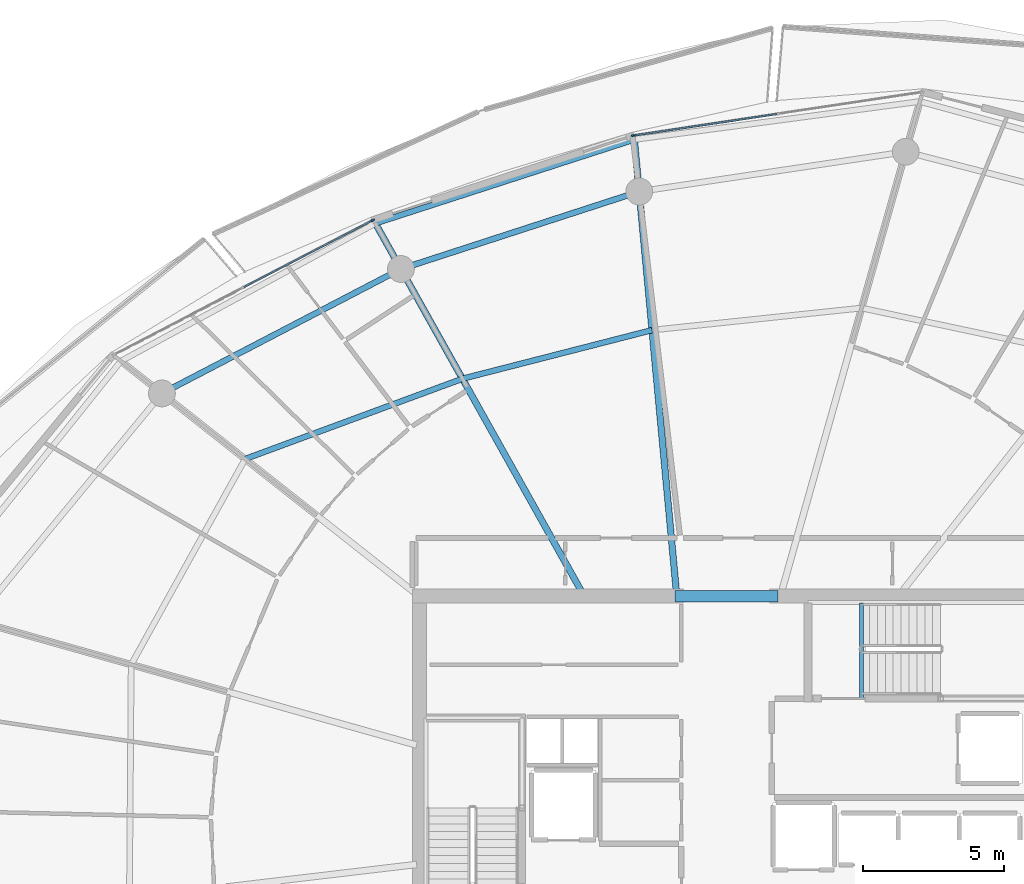
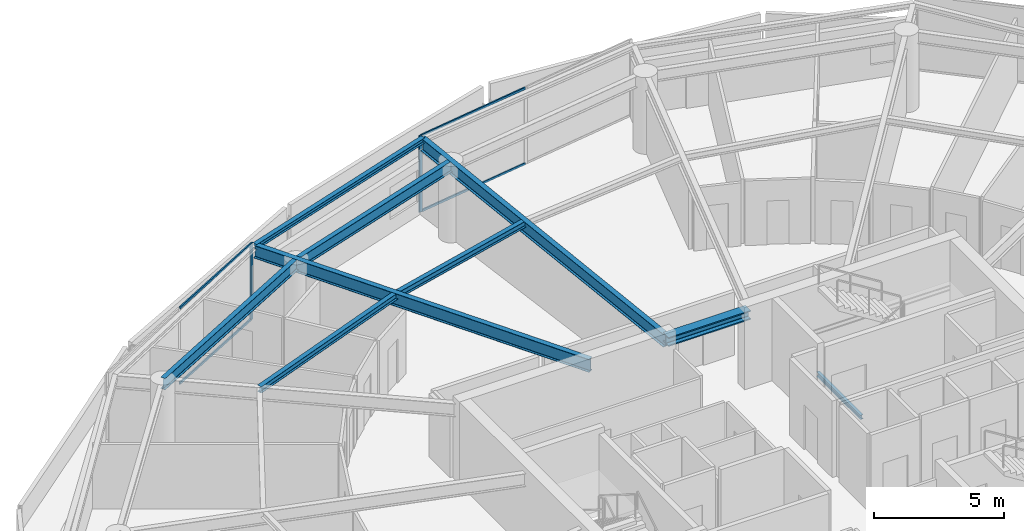
# One storey, part 12 of 29: 9 beams, 6 members, 2 elements without a shape of their own.
"""IFC4 building model written with IfcOpenShell, lengths in metres."""

from ifc_helpers import new_model, si_unit, direction, frame, origin, origin_2d, place, context, subcontext, project, spatial, rectangle, i_section, extrude, material, layer, layer_set, material_profile, profile_set, type_object, element, aggregate, save


model = new_model("IFC4")

# Units and contexts
model_context = context("Model", 3, precision=1e-05, world=origin(), true_north=direction((0.0, 1.0)))
body_context = subcontext(model_context, "Body", "Model", "MODEL_VIEW")
ifc_project = project(units=[si_unit("LENGTHUNIT", "METRE"), si_unit("AREAUNIT", "SQUARE_METRE"), si_unit("VOLUMEUNIT", "CUBIC_METRE"), si_unit("PLANEANGLEUNIT", "RADIAN"), si_unit("MASSUNIT", "GRAM", prefix="KILO")], contexts=[model_context])

# Site, building, storey
site_placement = place(None, origin())
site = spatial("IfcSite", under=ifc_project, at=site_placement, CompositionType="ELEMENT")
building_placement = place(site_placement, origin())
building = spatial("IfcBuilding", under=site, at=building_placement, Name="Kazma Halo Residences", CompositionType="ELEMENT")
storey_placement = place(building_placement, frame((0.0, 0.0, 282.89990234375)))
storey = spatial("IfcBuildingStorey", under=building, at=storey_placement, Name="L71", CompositionType="ELEMENT", Elevation=282.89990234375)

# Beams
ifc_material_1 = material(Name="Steel S355", Category="steel")
ifc_material_profile_1 = material_profile(ifc_material_1, i_section(OverallWidth=0.201904296875, OverallDepth=0.2470703125, WebThickness=0.00732421875, FlangeThickness=0.010986328125, FilletRadius=0.011962890625, at=origin_2d()), Name="W250x49.1")
ifc_profile_set_1 = profile_set([ifc_material_profile_1], Name="Steel S355")
beam_type_1 = type_object("IfcBeamType", Name="BM-BAL-CANT", PredefinedType="BEAM", material=ifc_profile_set_1)
beam_1_placement = place(storey_placement, frame((45.157470703125, 66.412841796875, 3.466552734375), z_axis=(-0.95136941054, -0.308052340826, 0.0), x_axis=(0.308052340826, -0.95136941054, 0.0)))
element("IfcBeam", 1, at=beam_1_placement, inside=storey, type_object=beam_type_1, Name="L71 wave-balcony tie beam 04", PredefinedType="BEAM", context=body_context, shape_type="SweptSolid", body=[
    extrude(i_section(OverallWidth=0.201904296875, OverallDepth=0.2470703125, WebThickness=0.00732421875, FlangeThickness=0.010986328125, FilletRadius=0.011962890625, at=origin_2d()), origin(), (0.0, 0.0, 1.0), 9.635498046875),
])
ifc_material_profile_2 = material_profile(ifc_material_1, i_section(OverallWidth=0.408935546875, OverallDepth=0.425048828125, WebThickness=0.03271484375, FlangeThickness=0.052490234375, FilletRadius=0.02001953125, at=origin_2d()), Name="W360x421")
ifc_profile_set_2 = profile_set([ifc_material_profile_2], Name="Steel S355")
beam_type_2 = type_object("IfcBeamType", Name="BM-CORE-W360H", PredefinedType="BEAM", material=ifc_profile_set_2)
beam_2_placement = place(storey_placement, frame((46.60009765625, 50.25, 3.377685546875), z_axis=(1.0, 0.0, 0.0), x_axis=(0.0, 1.0, 0.0)))
element("IfcBeam", 2, at=beam_2_placement, inside=storey, type_object=beam_type_2, Name="L71 core coupling beam N", PredefinedType="BEAM", context=body_context, shape_type="SweptSolid", body=[
    extrude(i_section(OverallWidth=0.408935546875, OverallDepth=0.425048828125, WebThickness=0.03271484375, FlangeThickness=0.052490234375, FilletRadius=0.02001953125, at=origin_2d()), origin(), (0.0, 0.0, 1.0), 3.64990234375),
])
ifc_material_profile_3 = material_profile(ifc_material_1, i_section(OverallWidth=0.22802734375, OverallDepth=0.60791015625, WebThickness=0.01123046875, FlangeThickness=0.017333984375, FilletRadius=0.01806640625, at=origin_2d()), Name="W610x113")
ifc_profile_set_3 = profile_set([ifc_material_profile_3], Name="Steel S355")
beam_type_3 = type_object("IfcBeamType", Name="BM-RAD-W610", PredefinedType="BEAM", material=ifc_profile_set_3)
beam_3_placement = place(storey_placement, frame((46.64990234375, 50.35009765625, 3.2861328125), z_axis=(-0.092514152003, 0.995711369664, 0.0), x_axis=(-0.995711369664, -0.092514152003, 0.0)))
element("IfcBeam", 3, at=beam_3_placement, inside=storey, type_object=beam_type_3, Name="L71 radial floor beam 04", PredefinedType="BEAM", context=body_context, shape_type="SweptSolid", body=[
    extrude(i_section(OverallWidth=0.22802734375, OverallDepth=0.60791015625, WebThickness=0.01123046875, FlangeThickness=0.017333984375, FilletRadius=0.01806640625, at=origin_2d()), origin(), (0.0, 0.0, 1.0), 16.1318359375),
])
beam_4_placement = place(storey_placement, frame((43.32373046875, 50.35009765625, 3.2861328125), z_axis=(-0.488620706085, 0.872496306918, 0.0), x_axis=(-0.872496306918, -0.488620706085, 0.0)))
element("IfcBeam", 4, at=beam_4_placement, inside=storey, type_object=beam_type_3, Name="L71 radial floor beam 05", PredefinedType="BEAM", context=body_context, shape_type="SweptSolid", body=[
    extrude(i_section(OverallWidth=0.22802734375, OverallDepth=0.60791015625, WebThickness=0.01123046875, FlangeThickness=0.017333984375, FilletRadius=0.01806640625, at=origin_2d()), origin(), (0.0, 0.0, 1.0), 15.008056640625),
])
ifc_material_profile_4 = material_profile(ifc_material_1, i_section(OverallWidth=0.202880859375, OverallDepth=0.302978515625, WebThickness=0.007568359375, FlangeThickness=0.01318359375, FilletRadius=0.013916015625, at=origin_2d()), Name="W310x60")
ifc_profile_set_4 = profile_set([ifc_material_profile_4], Name="Steel S355")
beam_type_4 = type_object("IfcBeamType", Name="BM-SEC-W310A", PredefinedType="JOIST", material=ifc_profile_set_4)
beam_5_placement = place(storey_placement, frame((45.7841796875, 59.66650390625, 3.4384765625), z_axis=(-0.968655607923, -0.248407554714, 0.0), x_axis=(0.248407554714, -0.968655607923, 0.0)))
element("IfcBeam", 5, at=beam_5_placement, inside=storey, type_object=beam_type_4, Name="L71 circumferential floor joist 04", PredefinedType="JOIST", context=body_context, shape_type="SweptSolid", body=[
    extrude(i_section(OverallWidth=0.202880859375, OverallDepth=0.302978515625, WebThickness=0.007568359375, FlangeThickness=0.01318359375, FilletRadius=0.013916015625, at=origin_2d()), origin(), (0.0, 0.0, 1.0), 6.930908203125),
])
beam_6_placement = place(storey_placement, frame((39.070556640625, 57.94482421875, 3.4384765625), z_axis=(-0.938068342894, -0.346450262029, 0.0), x_axis=(0.346450262029, -0.938068342894, 0.0)))
element("IfcBeam", 6, at=beam_6_placement, inside=storey, type_object=beam_type_4, Name="L71 circumferential floor joist 05", PredefinedType="JOIST", context=body_context, shape_type="SweptSolid", body=[
    extrude(i_section(OverallWidth=0.202880859375, OverallDepth=0.302978515625, WebThickness=0.007568359375, FlangeThickness=0.01318359375, FilletRadius=0.013916015625, at=origin_2d()), origin(), (0.0, 0.0, 1.0), 8.200439453125),
])
ifc_material_profile_5 = material_profile(ifc_material_1, i_section(OverallWidth=0.208984375, OverallDepth=0.532958984375, WebThickness=0.01025390625, FlangeThickness=0.015625, FilletRadius=0.01611328125, at=origin_2d()), Name="W530x92")
ifc_profile_set_5 = profile_set([ifc_material_profile_5], Name="Steel S355")
beam_type_5 = type_object("IfcBeamType", Name="BM-SPN-W530", PredefinedType="BEAM", material=ifc_profile_set_5)
beam_7_placement = place(storey_placement, frame((45.32861328125, 64.57080078125, 3.323486328125), z_axis=(-0.951053893407, -0.309025066679, 0.0), x_axis=(0.309025066679, -0.951053893407, 0.0)))
element("IfcBeam", 7, at=beam_7_placement, inside=storey, type_object=beam_type_5, Name="L71 perimeter ring beam 04", PredefinedType="BEAM", context=body_context, shape_type="SweptSolid", body=[
    extrude(i_section(OverallWidth=0.208984375, OverallDepth=0.532958984375, WebThickness=0.01025390625, FlangeThickness=0.015625, FilletRadius=0.01611328125, at=origin_2d()), origin(), (0.0, 0.0, 1.0), 8.8681640625),
])
beam_8_placement = place(storey_placement, frame((36.89453125, 61.830322265625, 3.323486328125), z_axis=(-0.886961047115, -0.461844238788, 0.0), x_axis=(0.461844238788, -0.886961047115, 0.0)))
element("IfcBeam", 8, at=beam_8_placement, inside=storey, type_object=beam_type_5, Name="L71 perimeter ring beam 05", PredefinedType="BEAM", context=body_context, shape_type="SweptSolid", body=[
    extrude(i_section(OverallWidth=0.208984375, OverallDepth=0.532958984375, WebThickness=0.01025390625, FlangeThickness=0.015625, FilletRadius=0.01611328125, at=origin_2d()), origin(), (0.0, 0.0, 1.0), 9.5390625),
])
ifc_material_profile_6 = material_profile(ifc_material_1, i_section(OverallWidth=0.133056640625, OverallDepth=0.20703125, WebThickness=0.005859375, FlangeThickness=0.00830078125, FilletRadius=0.010009765625, at=origin_2d()), Name="W200x26.6")
ifc_profile_set_6 = profile_set([ifc_material_profile_6], Name="Steel S355")
beam_type_6 = type_object("IfcBeamType", Name="BM-TRIM-W200", PredefinedType="BEAM", material=ifc_profile_set_6)
beam_9_placement = place(storey_placement, frame((53.199951171875, 46.6201171875, -0.369873046875), z_axis=(0.0, 1.0, 0.0), x_axis=(-1.0, 0.0, 0.0)))
element("IfcBeam", 9, at=beam_9_placement, inside=storey, type_object=beam_type_6, Name="L71 ST-02 floor landing support beam", PredefinedType="BEAM", context=body_context, shape_type="SweptSolid", body=[
    extrude(i_section(OverallWidth=0.133056640625, OverallDepth=0.20703125, WebThickness=0.005859375, FlangeThickness=0.00830078125, FilletRadius=0.010009765625, at=origin_2d()), origin(), (0.0, 0.0, 1.0), 3.3798828125),
])

# Curtain wall, member
ifc_material_2 = material(Name="Aluminium AW-6063 T6 and Triple-Silver Low-E Glass", Category="aluminium")
ifc_layer = layer(ifc_material_2, 0.139892578125)
ifc_layer_set = layer_set([ifc_layer], Name="Aluminium AW-6063 T6 and Triple-Silver Low-E Glass")
curtain_wall_type = type_object("IfcCurtainWallType", Name="CW-SYS-5", PredefinedType="NOTDEFINED", material=ifc_layer_set)
curtain_wall_1_placement = place(storey_placement, origin())
curtain_wall_1 = element("IfcCurtainWall", 10, at=curtain_wall_1_placement, inside=storey, type_object=curtain_wall_type, Name="L71 unitised curtain wall B03", PredefinedType="NOTDEFINED")
ifc_material_3 = material(Name="Aluminium AW-6063 T6", Category="aluminium")
ifc_material_profile_7 = material_profile(ifc_material_3, rectangle(XDim=0.06005859375, YDim=0.139892578125, at=origin_2d()), Name="CWM-60x140")
ifc_profile_set_7 = profile_set([ifc_material_profile_7], Name="Aluminium AW-6063 T6")
member_type_1 = type_object("IfcMemberType", Name="CW-SYS-5-MUL", PredefinedType="MULLION", material=ifc_profile_set_7)
member_1_placement = place(storey_placement, frame((45.124267578125, 66.552734375, 0.0), z_axis=(0.0, 0.0, 1.0), x_axis=(0.148697080374, -0.988882792998, 0.0)))
member_1 = element("IfcMember", 11, at=member_1_placement, type_object=member_type_1, Name="CWS-5 mullion 3", PredefinedType="MULLION", context=body_context, shape_type="SweptSolid", body=[
    extrude(rectangle(XDim=0.06005859375, YDim=0.139892578125, at=origin_2d()), origin(), (0.0, 0.0, 1.0), 3.590087890625),
])

curtain_wall_2_placement = place(storey_placement, origin())
curtain_wall_2 = element("IfcCurtainWall", 12, at=curtain_wall_2_placement, inside=storey, type_object=curtain_wall_type, Name="L71 unitised curtain wall B05", PredefinedType="NOTDEFINED")
member_2_placement = place(storey_placement, frame((35.894775390625, 63.553955078125, 0.0), z_axis=(0.0, 0.0, 1.0), x_axis=(0.460960760804, -0.887420518694, 0.0)))
member_2 = element("IfcMember", 13, at=member_2_placement, type_object=member_type_1, Name="CWS-5 mullion 1", PredefinedType="MULLION", context=body_context, shape_type="SweptSolid", body=[
    extrude(rectangle(XDim=0.06005859375, YDim=0.139892578125, at=origin_2d()), origin(), (0.0, 0.0, 1.0), 3.590087890625),
])

# Member
ifc_material_profile_8 = material_profile(ifc_material_3, rectangle(XDim=0.06005859375, YDim=0.10498046875, at=origin_2d()), Name="CWT-60x105")
ifc_profile_set_8 = profile_set([ifc_material_profile_8], Name="Aluminium AW-6063 T6")
member_type_2 = type_object("IfcMemberType", Name="CW-SYS-5-TRN", PredefinedType="USERDEFINED", material=ifc_profile_set_8)
member_3_placement = place(storey_placement, frame((50.19677734375, 67.3154296875, 0.030029296875), z_axis=(-0.988882913569, -0.148696278541, 0.0), x_axis=(0.148696278541, -0.988882913569, 0.0)))
member_3 = element("IfcMember", 14, at=member_3_placement, type_object=member_type_2, Name="CWS-5 transom 2.1", ObjectType="TRANSOM", PredefinedType="USERDEFINED", context=body_context, shape_type="SweptSolid", body=[
    extrude(rectangle(XDim=0.06005859375, YDim=0.10498046875, at=origin_2d()), origin(), (0.0, 0.0, 1.0), 5.099609375),
])

member_4_placement = place(storey_placement, frame((50.19677734375, 67.3154296875, 3.56005859375), z_axis=(-0.988882913569, -0.148696278541, 0.0), x_axis=(0.148696278541, -0.988882913569, 0.0)))
member_4 = element("IfcMember", 15, at=member_4_placement, type_object=member_type_2, Name="CWS-5 transom 2.2", ObjectType="TRANSOM", PredefinedType="USERDEFINED", context=body_context, shape_type="SweptSolid", body=[
    extrude(rectangle(XDim=0.06005859375, YDim=0.10498046875, at=origin_2d()), origin(), (0.0, 0.0, 1.0), 5.099609375),
])

aggregate(curtain_wall_1, [member_1, member_3, member_4])

member_5_placement = place(storey_placement, frame((35.8681640625, 63.5400390625, 0.030029296875), z_axis=(-0.887436955863, -0.46092911534, 0.0), x_axis=(0.46092911534, -0.887436955863, 0.0)))
member_5 = element("IfcMember", 16, at=member_5_placement, type_object=member_type_2, Name="CWS-5 transom 1.1", ObjectType="TRANSOM", PredefinedType="USERDEFINED", context=body_context, shape_type="SweptSolid", body=[
    extrude(rectangle(XDim=0.06005859375, YDim=0.10498046875, at=origin_2d()), origin(), (0.0, 0.0, 1.0), 5.099609375),
])

member_6_placement = place(storey_placement, frame((35.8681640625, 63.5400390625, 3.56005859375), z_axis=(-0.887436955863, -0.46092911534, 0.0), x_axis=(0.46092911534, -0.887436955863, 0.0)))
member_6 = element("IfcMember", 17, at=member_6_placement, type_object=member_type_2, Name="CWS-5 transom 1.2", ObjectType="TRANSOM", PredefinedType="USERDEFINED", context=body_context, shape_type="SweptSolid", body=[
    extrude(rectangle(XDim=0.06005859375, YDim=0.10498046875, at=origin_2d()), origin(), (0.0, 0.0, 1.0), 5.099609375),
])

aggregate(curtain_wall_2, [member_2, member_5, member_6])

save(model, "model.ifc")
